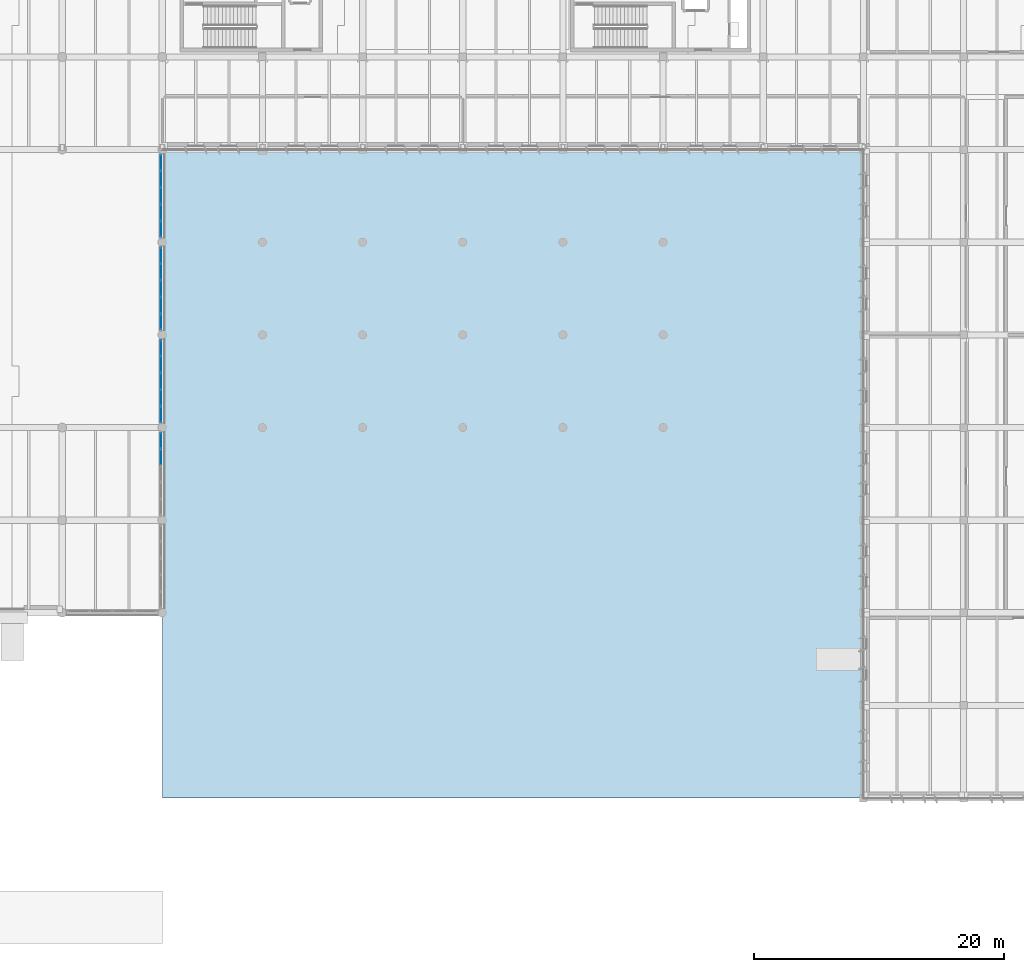
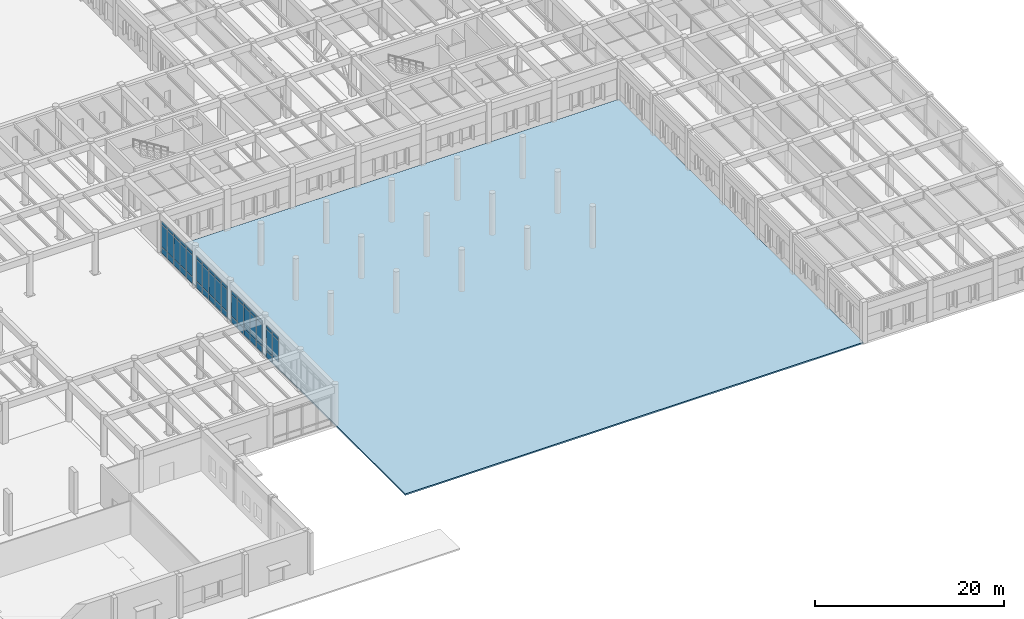
# One storey, part 12 of 56: 50 plates, 1 slab, 4 elements without a shape of their own.
"""IFC4 building model written with IfcOpenShell, lengths in metres."""

from ifc_helpers import new_model, si_unit, direction, frame, origin, origin_2d, place, context, subcontext, project, spatial, polyline, rectangle, outline, extrude, material, layer, layer_set, type_object, element, aggregate, save


model = new_model("IFC4")

# Units and contexts
model_context = context("Model", 3, precision=1e-05, world=origin(), true_north=direction((0.0, 1.0)))
body_context = subcontext(model_context, "Body", "Model", "MODEL_VIEW")
ifc_project = project(units=[si_unit("LENGTHUNIT", "METRE"), si_unit("AREAUNIT", "SQUARE_METRE"), si_unit("VOLUMEUNIT", "CUBIC_METRE"), si_unit("PLANEANGLEUNIT", "RADIAN"), si_unit("MASSUNIT", "GRAM", prefix="KILO")], contexts=[model_context])

# Site, building, storey
site_placement = place(None, origin())
site = spatial("IfcSite", under=ifc_project, at=site_placement, CompositionType="ELEMENT")
building_placement = place(site_placement, origin())
building = spatial("IfcBuilding", under=site, at=building_placement, Name="Valkorina Park Police Headquarters", CompositionType="ELEMENT")
storey_placement = place(building_placement, origin())
storey = spatial("IfcBuildingStorey", under=building, at=storey_placement, Name="L01", CompositionType="ELEMENT", Elevation=0.0)

# Curtain wall, plates
ifc_material_1 = material(Name="Thermally broken aluminium AW-6060", Category="aluminium")
ifc_layer_1 = layer(ifc_material_1, 0.18994140625)
ifc_layer_set_1 = layer_set([ifc_layer_1], Name="Thermally broken aluminium AW-6060")
curtain_wall_type = type_object("IfcCurtainWallType", Name="CW-V4-6680x4280", PredefinedType="NOTDEFINED", material=ifc_layer_set_1)
curtain_wall_1_placement = place(storey_placement, origin())
curtain_wall_1 = element("IfcCurtainWall", 1, at=curtain_wall_1_placement, inside=storey, type_object=curtain_wall_type, Name="L01 Unitised Curtain Wall 001", PredefinedType="NOTDEFINED")
ifc_material_2 = material(Name="Triple low-E insulated glazing", Category="glass")
ifc_layer_2 = layer(ifc_material_2, 0.0380859375)
ifc_layer_set_2 = layer_set([ifc_layer_2], Name="Triple low-E insulated glazing")
plate_type_1 = type_object("IfcPlateType", Name="PL-CWP-ACOUST-38", PredefinedType="CURTAIN_PANEL", material=ifc_layer_set_2)
plate_1_placement = place(storey_placement, frame((80.679931640625, 58.152099609375, 0.93994140625), z_axis=(0.0, 0.0, 1.0), x_axis=(0.0, -1.0, 0.0)))
plate_1 = element("IfcPlate", 2, at=plate_1_placement, type_object=plate_type_1, Name="CW-V4-668-428 panel 1.2", PredefinedType="CURTAIN_PANEL", context=body_context, shape_type="SweptSolid", body=[
    extrude(rectangle(XDim=1.216064453125, YDim=0.0380859375, at=origin_2d()), origin(), (0.0, 0.0, 1.0), 2.780029296875),
])
plate_2_placement = place(storey_placement, frame((80.679931640625, 58.152099609375, 3.800048828125), z_axis=(0.0, 0.0, 1.0), x_axis=(0.0, -1.0, 0.0)))
plate_2 = element("IfcPlate", 3, at=plate_2_placement, type_object=plate_type_1, Name="CW-V4-668-428 panel 1.3", PredefinedType="CURTAIN_PANEL", context=body_context, shape_type="SweptSolid", body=[
    extrude(rectangle(XDim=1.216064453125, YDim=0.0380859375, at=origin_2d()), origin(), (0.0, 0.0, 1.0), 0.39990234375),
])
plate_3_placement = place(storey_placement, frame((80.679931640625, 56.8359375, 0.93994140625), z_axis=(0.0, 0.0, 1.0), x_axis=(0.0, -1.0, 0.0)))
plate_3 = element("IfcPlate", 4, at=plate_3_placement, type_object=plate_type_1, Name="CW-V4-668-428 panel 2.2", PredefinedType="CURTAIN_PANEL", context=body_context, shape_type="SweptSolid", body=[
    extrude(rectangle(XDim=1.256103515625, YDim=0.0380859375, at=origin_2d()), origin(), (0.0, 0.0, 1.0), 2.780029296875),
])
plate_4_placement = place(storey_placement, frame((80.679931640625, 56.8359375, 3.800048828125), z_axis=(0.0, 0.0, 1.0), x_axis=(0.0, -1.0, 0.0)))
plate_4 = element("IfcPlate", 5, at=plate_4_placement, type_object=plate_type_1, Name="CW-V4-668-428 panel 2.3", PredefinedType="CURTAIN_PANEL", context=body_context, shape_type="SweptSolid", body=[
    extrude(rectangle(XDim=1.256103515625, YDim=0.0380859375, at=origin_2d()), origin(), (0.0, 0.0, 1.0), 0.39990234375),
])
plate_5_placement = place(storey_placement, frame((80.679931640625, 55.5, 0.93994140625), z_axis=(0.0, 0.0, 1.0), x_axis=(0.0, -1.0, 0.0)))
plate_5 = element("IfcPlate", 6, at=plate_5_placement, type_object=plate_type_1, Name="CW-V4-668-428 panel 3.2", PredefinedType="CURTAIN_PANEL", context=body_context, shape_type="SweptSolid", body=[
    extrude(rectangle(XDim=1.256103515625, YDim=0.0380859375, at=origin_2d()), origin(), (0.0, 0.0, 1.0), 2.780029296875),
])
plate_6_placement = place(storey_placement, frame((80.679931640625, 55.5, 3.800048828125), z_axis=(0.0, 0.0, 1.0), x_axis=(0.0, -1.0, 0.0)))
plate_6 = element("IfcPlate", 7, at=plate_6_placement, type_object=plate_type_1, Name="CW-V4-668-428 panel 3.3", PredefinedType="CURTAIN_PANEL", context=body_context, shape_type="SweptSolid", body=[
    extrude(rectangle(XDim=1.256103515625, YDim=0.0380859375, at=origin_2d()), origin(), (0.0, 0.0, 1.0), 0.39990234375),
])
plate_7_placement = place(storey_placement, frame((80.679931640625, 54.1640625, 0.93994140625), z_axis=(0.0, 0.0, 1.0), x_axis=(0.0, -1.0, 0.0)))
plate_7 = element("IfcPlate", 8, at=plate_7_placement, type_object=plate_type_1, Name="CW-V4-668-428 panel 4.2", PredefinedType="CURTAIN_PANEL", context=body_context, shape_type="SweptSolid", body=[
    extrude(rectangle(XDim=1.256103515625, YDim=0.0380859375, at=origin_2d()), origin(), (0.0, 0.0, 1.0), 2.780029296875),
])
plate_8_placement = place(storey_placement, frame((80.679931640625, 54.1640625, 3.800048828125), z_axis=(0.0, 0.0, 1.0), x_axis=(0.0, -1.0, 0.0)))
plate_8 = element("IfcPlate", 9, at=plate_8_placement, type_object=plate_type_1, Name="CW-V4-668-428 panel 4.3", PredefinedType="CURTAIN_PANEL", context=body_context, shape_type="SweptSolid", body=[
    extrude(rectangle(XDim=1.256103515625, YDim=0.0380859375, at=origin_2d()), origin(), (0.0, 0.0, 1.0), 0.39990234375),
])
plate_9_placement = place(storey_placement, frame((80.679931640625, 52.847900390625, 0.93994140625), z_axis=(0.0, 0.0, 1.0), x_axis=(0.0, -1.0, 0.0)))
plate_9 = element("IfcPlate", 10, at=plate_9_placement, type_object=plate_type_1, Name="CW-V4-668-428 panel 5.2", PredefinedType="CURTAIN_PANEL", context=body_context, shape_type="SweptSolid", body=[
    extrude(rectangle(XDim=1.216064453125, YDim=0.0380859375, at=origin_2d()), origin(), (0.0, 0.0, 1.0), 2.780029296875),
])
plate_10_placement = place(storey_placement, frame((80.679931640625, 52.847900390625, 3.800048828125), z_axis=(0.0, 0.0, 1.0), x_axis=(0.0, -1.0, 0.0)))
plate_10 = element("IfcPlate", 11, at=plate_10_placement, type_object=plate_type_1, Name="CW-V4-668-428 panel 5.3", PredefinedType="CURTAIN_PANEL", context=body_context, shape_type="SweptSolid", body=[
    extrude(rectangle(XDim=1.216064453125, YDim=0.0380859375, at=origin_2d()), origin(), (0.0, 0.0, 1.0), 0.39990234375),
])

curtain_wall_2_placement = place(storey_placement, origin())
curtain_wall_2 = element("IfcCurtainWall", 12, at=curtain_wall_2_placement, inside=storey, type_object=curtain_wall_type, Name="L01 Unitised Curtain Wall 002", PredefinedType="NOTDEFINED")
plate_11_placement = place(storey_placement, frame((80.679931640625, 50.751953125, 0.93994140625), z_axis=(0.0, 0.0, 1.0), x_axis=(0.0, -1.0, 0.0)))
plate_11 = element("IfcPlate", 13, at=plate_11_placement, type_object=plate_type_1, Name="CW-V4-668-428 panel 1.2", PredefinedType="CURTAIN_PANEL", context=body_context, shape_type="SweptSolid", body=[
    extrude(rectangle(XDim=1.216064453125, YDim=0.0380859375, at=origin_2d()), origin(), (0.0, 0.0, 1.0), 2.780029296875),
])
plate_12_placement = place(storey_placement, frame((80.679931640625, 50.751953125, 3.800048828125), z_axis=(0.0, 0.0, 1.0), x_axis=(0.0, -1.0, 0.0)))
plate_12 = element("IfcPlate", 14, at=plate_12_placement, type_object=plate_type_1, Name="CW-V4-668-428 panel 1.3", PredefinedType="CURTAIN_PANEL", context=body_context, shape_type="SweptSolid", body=[
    extrude(rectangle(XDim=1.216064453125, YDim=0.0380859375, at=origin_2d()), origin(), (0.0, 0.0, 1.0), 0.39990234375),
])
plate_13_placement = place(storey_placement, frame((80.679931640625, 49.43603515625, 0.93994140625), z_axis=(0.0, 0.0, 1.0), x_axis=(0.0, -1.0, 0.0)))
plate_13 = element("IfcPlate", 15, at=plate_13_placement, type_object=plate_type_1, Name="CW-V4-668-428 panel 2.2", PredefinedType="CURTAIN_PANEL", context=body_context, shape_type="SweptSolid", body=[
    extrude(rectangle(XDim=1.256103515625, YDim=0.0380859375, at=origin_2d()), origin(), (0.0, 0.0, 1.0), 2.780029296875),
])
plate_14_placement = place(storey_placement, frame((80.679931640625, 49.43603515625, 3.800048828125), z_axis=(0.0, 0.0, 1.0), x_axis=(0.0, -1.0, 0.0)))
plate_14 = element("IfcPlate", 16, at=plate_14_placement, type_object=plate_type_1, Name="CW-V4-668-428 panel 2.3", PredefinedType="CURTAIN_PANEL", context=body_context, shape_type="SweptSolid", body=[
    extrude(rectangle(XDim=1.256103515625, YDim=0.0380859375, at=origin_2d()), origin(), (0.0, 0.0, 1.0), 0.39990234375),
])
plate_15_placement = place(storey_placement, frame((80.679931640625, 48.10009765625, 0.93994140625), z_axis=(0.0, 0.0, 1.0), x_axis=(0.0, -1.0, 0.0)))
plate_15 = element("IfcPlate", 17, at=plate_15_placement, type_object=plate_type_1, Name="CW-V4-668-428 panel 3.2", PredefinedType="CURTAIN_PANEL", context=body_context, shape_type="SweptSolid", body=[
    extrude(rectangle(XDim=1.256103515625, YDim=0.0380859375, at=origin_2d()), origin(), (0.0, 0.0, 1.0), 2.780029296875),
])
plate_16_placement = place(storey_placement, frame((80.679931640625, 48.10009765625, 3.800048828125), z_axis=(0.0, 0.0, 1.0), x_axis=(0.0, -1.0, 0.0)))
plate_16 = element("IfcPlate", 18, at=plate_16_placement, type_object=plate_type_1, Name="CW-V4-668-428 panel 3.3", PredefinedType="CURTAIN_PANEL", context=body_context, shape_type="SweptSolid", body=[
    extrude(rectangle(XDim=1.256103515625, YDim=0.0380859375, at=origin_2d()), origin(), (0.0, 0.0, 1.0), 0.39990234375),
])
plate_17_placement = place(storey_placement, frame((80.679931640625, 46.763916015625, 0.93994140625), z_axis=(0.0, 0.0, 1.0), x_axis=(0.0, -1.0, 0.0)))
plate_17 = element("IfcPlate", 19, at=plate_17_placement, type_object=plate_type_1, Name="CW-V4-668-428 panel 4.2", PredefinedType="CURTAIN_PANEL", context=body_context, shape_type="SweptSolid", body=[
    extrude(rectangle(XDim=1.256103515625, YDim=0.0380859375, at=origin_2d()), origin(), (0.0, 0.0, 1.0), 2.780029296875),
])
plate_18_placement = place(storey_placement, frame((80.679931640625, 46.763916015625, 3.800048828125), z_axis=(0.0, 0.0, 1.0), x_axis=(0.0, -1.0, 0.0)))
plate_18 = element("IfcPlate", 20, at=plate_18_placement, type_object=plate_type_1, Name="CW-V4-668-428 panel 4.3", PredefinedType="CURTAIN_PANEL", context=body_context, shape_type="SweptSolid", body=[
    extrude(rectangle(XDim=1.256103515625, YDim=0.0380859375, at=origin_2d()), origin(), (0.0, 0.0, 1.0), 0.39990234375),
])
plate_19_placement = place(storey_placement, frame((80.679931640625, 45.447998046875, 0.93994140625), z_axis=(0.0, 0.0, 1.0), x_axis=(0.0, -1.0, 0.0)))
plate_19 = element("IfcPlate", 21, at=plate_19_placement, type_object=plate_type_1, Name="CW-V4-668-428 panel 5.2", PredefinedType="CURTAIN_PANEL", context=body_context, shape_type="SweptSolid", body=[
    extrude(rectangle(XDim=1.216064453125, YDim=0.0380859375, at=origin_2d()), origin(), (0.0, 0.0, 1.0), 2.780029296875),
])
plate_20_placement = place(storey_placement, frame((80.679931640625, 45.447998046875, 3.800048828125), z_axis=(0.0, 0.0, 1.0), x_axis=(0.0, -1.0, 0.0)))
plate_20 = element("IfcPlate", 22, at=plate_20_placement, type_object=plate_type_1, Name="CW-V4-668-428 panel 5.3", PredefinedType="CURTAIN_PANEL", context=body_context, shape_type="SweptSolid", body=[
    extrude(rectangle(XDim=1.216064453125, YDim=0.0380859375, at=origin_2d()), origin(), (0.0, 0.0, 1.0), 0.39990234375),
])

curtain_wall_3_placement = place(storey_placement, origin())
curtain_wall_3 = element("IfcCurtainWall", 23, at=curtain_wall_3_placement, inside=storey, type_object=curtain_wall_type, Name="L01 Unitised Curtain Wall 003", PredefinedType="NOTDEFINED")
plate_21_placement = place(storey_placement, frame((80.679931640625, 43.35205078125, 0.93994140625), z_axis=(0.0, 0.0, 1.0), x_axis=(0.0, -1.0, 0.0)))
plate_21 = element("IfcPlate", 24, at=plate_21_placement, type_object=plate_type_1, Name="CW-V4-668-428 panel 1.2", PredefinedType="CURTAIN_PANEL", context=body_context, shape_type="SweptSolid", body=[
    extrude(rectangle(XDim=1.216064453125, YDim=0.0380859375, at=origin_2d()), origin(), (0.0, 0.0, 1.0), 2.780029296875),
])
plate_22_placement = place(storey_placement, frame((80.679931640625, 43.35205078125, 3.800048828125), z_axis=(0.0, 0.0, 1.0), x_axis=(0.0, -1.0, 0.0)))
plate_22 = element("IfcPlate", 25, at=plate_22_placement, type_object=plate_type_1, Name="CW-V4-668-428 panel 1.3", PredefinedType="CURTAIN_PANEL", context=body_context, shape_type="SweptSolid", body=[
    extrude(rectangle(XDim=1.216064453125, YDim=0.0380859375, at=origin_2d()), origin(), (0.0, 0.0, 1.0), 0.39990234375),
])
plate_23_placement = place(storey_placement, frame((80.679931640625, 42.035888671875, 0.93994140625), z_axis=(0.0, 0.0, 1.0), x_axis=(0.0, -1.0, 0.0)))
plate_23 = element("IfcPlate", 26, at=plate_23_placement, type_object=plate_type_1, Name="CW-V4-668-428 panel 2.2", PredefinedType="CURTAIN_PANEL", context=body_context, shape_type="SweptSolid", body=[
    extrude(rectangle(XDim=1.256103515625, YDim=0.0380859375, at=origin_2d()), origin(), (0.0, 0.0, 1.0), 2.780029296875),
])
plate_24_placement = place(storey_placement, frame((80.679931640625, 42.035888671875, 3.800048828125), z_axis=(0.0, 0.0, 1.0), x_axis=(0.0, -1.0, 0.0)))
plate_24 = element("IfcPlate", 27, at=plate_24_placement, type_object=plate_type_1, Name="CW-V4-668-428 panel 2.3", PredefinedType="CURTAIN_PANEL", context=body_context, shape_type="SweptSolid", body=[
    extrude(rectangle(XDim=1.256103515625, YDim=0.0380859375, at=origin_2d()), origin(), (0.0, 0.0, 1.0), 0.39990234375),
])
plate_25_placement = place(storey_placement, frame((80.679931640625, 40.699951171875, 0.93994140625), z_axis=(0.0, 0.0, 1.0), x_axis=(0.0, -1.0, 0.0)))
plate_25 = element("IfcPlate", 28, at=plate_25_placement, type_object=plate_type_1, Name="CW-V4-668-428 panel 3.2", PredefinedType="CURTAIN_PANEL", context=body_context, shape_type="SweptSolid", body=[
    extrude(rectangle(XDim=1.256103515625, YDim=0.0380859375, at=origin_2d()), origin(), (0.0, 0.0, 1.0), 2.780029296875),
])
plate_26_placement = place(storey_placement, frame((80.679931640625, 40.699951171875, 3.800048828125), z_axis=(0.0, 0.0, 1.0), x_axis=(0.0, -1.0, 0.0)))
plate_26 = element("IfcPlate", 29, at=plate_26_placement, type_object=plate_type_1, Name="CW-V4-668-428 panel 3.3", PredefinedType="CURTAIN_PANEL", context=body_context, shape_type="SweptSolid", body=[
    extrude(rectangle(XDim=1.256103515625, YDim=0.0380859375, at=origin_2d()), origin(), (0.0, 0.0, 1.0), 0.39990234375),
])
plate_27_placement = place(storey_placement, frame((80.679931640625, 39.364013671875, 0.93994140625), z_axis=(0.0, 0.0, 1.0), x_axis=(0.0, -1.0, 0.0)))
plate_27 = element("IfcPlate", 30, at=plate_27_placement, type_object=plate_type_1, Name="CW-V4-668-428 panel 4.2", PredefinedType="CURTAIN_PANEL", context=body_context, shape_type="SweptSolid", body=[
    extrude(rectangle(XDim=1.256103515625, YDim=0.0380859375, at=origin_2d()), origin(), (0.0, 0.0, 1.0), 2.780029296875),
])
plate_28_placement = place(storey_placement, frame((80.679931640625, 39.364013671875, 3.800048828125), z_axis=(0.0, 0.0, 1.0), x_axis=(0.0, -1.0, 0.0)))
plate_28 = element("IfcPlate", 31, at=plate_28_placement, type_object=plate_type_1, Name="CW-V4-668-428 panel 4.3", PredefinedType="CURTAIN_PANEL", context=body_context, shape_type="SweptSolid", body=[
    extrude(rectangle(XDim=1.256103515625, YDim=0.0380859375, at=origin_2d()), origin(), (0.0, 0.0, 1.0), 0.39990234375),
])
plate_29_placement = place(storey_placement, frame((80.679931640625, 38.048095703125, 0.93994140625), z_axis=(0.0, 0.0, 1.0), x_axis=(0.0, -1.0, 0.0)))
plate_29 = element("IfcPlate", 32, at=plate_29_placement, type_object=plate_type_1, Name="CW-V4-668-428 panel 5.2", PredefinedType="CURTAIN_PANEL", context=body_context, shape_type="SweptSolid", body=[
    extrude(rectangle(XDim=1.216064453125, YDim=0.0380859375, at=origin_2d()), origin(), (0.0, 0.0, 1.0), 2.780029296875),
])
plate_30_placement = place(storey_placement, frame((80.679931640625, 38.048095703125, 3.800048828125), z_axis=(0.0, 0.0, 1.0), x_axis=(0.0, -1.0, 0.0)))
plate_30 = element("IfcPlate", 33, at=plate_30_placement, type_object=plate_type_1, Name="CW-V4-668-428 panel 5.3", PredefinedType="CURTAIN_PANEL", context=body_context, shape_type="SweptSolid", body=[
    extrude(rectangle(XDim=1.216064453125, YDim=0.0380859375, at=origin_2d()), origin(), (0.0, 0.0, 1.0), 0.39990234375),
])

curtain_wall_4_placement = place(storey_placement, origin())
curtain_wall_4 = element("IfcCurtainWall", 34, at=curtain_wall_4_placement, inside=storey, type_object=curtain_wall_type, Name="L01 Unitised Curtain Wall 004", PredefinedType="NOTDEFINED")
plate_31_placement = place(storey_placement, frame((80.679931640625, 35.951904296875, 0.93994140625), z_axis=(0.0, 0.0, 1.0), x_axis=(0.0, -1.0, 0.0)))
plate_31 = element("IfcPlate", 35, at=plate_31_placement, type_object=plate_type_1, Name="CW-V4-668-428 panel 1.2", PredefinedType="CURTAIN_PANEL", context=body_context, shape_type="SweptSolid", body=[
    extrude(rectangle(XDim=1.216064453125, YDim=0.0380859375, at=origin_2d()), origin(), (0.0, 0.0, 1.0), 2.780029296875),
])
plate_32_placement = place(storey_placement, frame((80.679931640625, 35.951904296875, 3.800048828125), z_axis=(0.0, 0.0, 1.0), x_axis=(0.0, -1.0, 0.0)))
plate_32 = element("IfcPlate", 36, at=plate_32_placement, type_object=plate_type_1, Name="CW-V4-668-428 panel 1.3", PredefinedType="CURTAIN_PANEL", context=body_context, shape_type="SweptSolid", body=[
    extrude(rectangle(XDim=1.216064453125, YDim=0.0380859375, at=origin_2d()), origin(), (0.0, 0.0, 1.0), 0.39990234375),
])
plate_33_placement = place(storey_placement, frame((80.679931640625, 34.635986328125, 0.93994140625), z_axis=(0.0, 0.0, 1.0), x_axis=(0.0, -1.0, 0.0)))
plate_33 = element("IfcPlate", 37, at=plate_33_placement, type_object=plate_type_1, Name="CW-V4-668-428 panel 2.2", PredefinedType="CURTAIN_PANEL", context=body_context, shape_type="SweptSolid", body=[
    extrude(rectangle(XDim=1.256103515625, YDim=0.0380859375, at=origin_2d()), origin(), (0.0, 0.0, 1.0), 2.780029296875),
])
plate_34_placement = place(storey_placement, frame((80.679931640625, 34.635986328125, 3.800048828125), z_axis=(0.0, 0.0, 1.0), x_axis=(0.0, -1.0, 0.0)))
plate_34 = element("IfcPlate", 38, at=plate_34_placement, type_object=plate_type_1, Name="CW-V4-668-428 panel 2.3", PredefinedType="CURTAIN_PANEL", context=body_context, shape_type="SweptSolid", body=[
    extrude(rectangle(XDim=1.256103515625, YDim=0.0380859375, at=origin_2d()), origin(), (0.0, 0.0, 1.0), 0.39990234375),
])

# Plate
ifc_layer_3 = layer(ifc_material_1, 0.06494140625)
ifc_layer_set_3 = layer_set([ifc_layer_3], Name="Thermally broken aluminium AW-6060")
plate_type_2 = type_object("IfcPlateType", Name="PL-CWP-INSUL-65", PredefinedType="CURTAIN_PANEL", material=ifc_layer_set_3)
plate_35_placement = place(storey_placement, frame((80.679931640625, 58.152099609375, 0.080078125), z_axis=(0.0, 0.0, 1.0), x_axis=(0.0, -1.0, 0.0)))
plate_35 = element("IfcPlate", 39, at=plate_35_placement, type_object=plate_type_2, Name="CW-V4-668-428 panel 1.1", PredefinedType="CURTAIN_PANEL", context=body_context, shape_type="SweptSolid", body=[
    extrude(rectangle(XDim=1.216064453125, YDim=0.0380859375, at=origin_2d()), origin(), (0.0, 0.0, 1.0), 0.780029296875),
])

plate_36_placement = place(storey_placement, frame((80.679931640625, 56.8359375, 0.080078125), z_axis=(0.0, 0.0, 1.0), x_axis=(0.0, -1.0, 0.0)))
plate_36 = element("IfcPlate", 40, at=plate_36_placement, type_object=plate_type_2, Name="CW-V4-668-428 panel 2.1", PredefinedType="CURTAIN_PANEL", context=body_context, shape_type="SweptSolid", body=[
    extrude(rectangle(XDim=1.256103515625, YDim=0.0380859375, at=origin_2d()), origin(), (0.0, 0.0, 1.0), 0.780029296875),
])

plate_37_placement = place(storey_placement, frame((80.679931640625, 55.5, 0.080078125), z_axis=(0.0, 0.0, 1.0), x_axis=(0.0, -1.0, 0.0)))
plate_37 = element("IfcPlate", 41, at=plate_37_placement, type_object=plate_type_2, Name="CW-V4-668-428 panel 3.1", PredefinedType="CURTAIN_PANEL", context=body_context, shape_type="SweptSolid", body=[
    extrude(rectangle(XDim=1.256103515625, YDim=0.0380859375, at=origin_2d()), origin(), (0.0, 0.0, 1.0), 0.780029296875),
])

plate_38_placement = place(storey_placement, frame((80.679931640625, 54.1640625, 0.080078125), z_axis=(0.0, 0.0, 1.0), x_axis=(0.0, -1.0, 0.0)))
plate_38 = element("IfcPlate", 42, at=plate_38_placement, type_object=plate_type_2, Name="CW-V4-668-428 panel 4.1", PredefinedType="CURTAIN_PANEL", context=body_context, shape_type="SweptSolid", body=[
    extrude(rectangle(XDim=1.256103515625, YDim=0.0380859375, at=origin_2d()), origin(), (0.0, 0.0, 1.0), 0.780029296875),
])

plate_39_placement = place(storey_placement, frame((80.679931640625, 52.847900390625, 0.080078125), z_axis=(0.0, 0.0, 1.0), x_axis=(0.0, -1.0, 0.0)))
plate_39 = element("IfcPlate", 43, at=plate_39_placement, type_object=plate_type_2, Name="CW-V4-668-428 panel 5.1", PredefinedType="CURTAIN_PANEL", context=body_context, shape_type="SweptSolid", body=[
    extrude(rectangle(XDim=1.216064453125, YDim=0.0380859375, at=origin_2d()), origin(), (0.0, 0.0, 1.0), 0.780029296875),
])

aggregate(curtain_wall_1, [plate_35, plate_1, plate_2, plate_36, plate_3, plate_4, plate_37, plate_5, plate_6, plate_38, plate_7, plate_8, plate_39, plate_9, plate_10])

plate_40_placement = place(storey_placement, frame((80.679931640625, 50.751953125, 0.080078125), z_axis=(0.0, 0.0, 1.0), x_axis=(0.0, -1.0, 0.0)))
plate_40 = element("IfcPlate", 44, at=plate_40_placement, type_object=plate_type_2, Name="CW-V4-668-428 panel 1.1", PredefinedType="CURTAIN_PANEL", context=body_context, shape_type="SweptSolid", body=[
    extrude(rectangle(XDim=1.216064453125, YDim=0.0380859375, at=origin_2d()), origin(), (0.0, 0.0, 1.0), 0.780029296875),
])

plate_41_placement = place(storey_placement, frame((80.679931640625, 49.43603515625, 0.080078125), z_axis=(0.0, 0.0, 1.0), x_axis=(0.0, -1.0, 0.0)))
plate_41 = element("IfcPlate", 45, at=plate_41_placement, type_object=plate_type_2, Name="CW-V4-668-428 panel 2.1", PredefinedType="CURTAIN_PANEL", context=body_context, shape_type="SweptSolid", body=[
    extrude(rectangle(XDim=1.256103515625, YDim=0.0380859375, at=origin_2d()), origin(), (0.0, 0.0, 1.0), 0.780029296875),
])

plate_42_placement = place(storey_placement, frame((80.679931640625, 48.10009765625, 0.080078125), z_axis=(0.0, 0.0, 1.0), x_axis=(0.0, -1.0, 0.0)))
plate_42 = element("IfcPlate", 46, at=plate_42_placement, type_object=plate_type_2, Name="CW-V4-668-428 panel 3.1", PredefinedType="CURTAIN_PANEL", context=body_context, shape_type="SweptSolid", body=[
    extrude(rectangle(XDim=1.256103515625, YDim=0.0380859375, at=origin_2d()), origin(), (0.0, 0.0, 1.0), 0.780029296875),
])

plate_43_placement = place(storey_placement, frame((80.679931640625, 46.763916015625, 0.080078125), z_axis=(0.0, 0.0, 1.0), x_axis=(0.0, -1.0, 0.0)))
plate_43 = element("IfcPlate", 47, at=plate_43_placement, type_object=plate_type_2, Name="CW-V4-668-428 panel 4.1", PredefinedType="CURTAIN_PANEL", context=body_context, shape_type="SweptSolid", body=[
    extrude(rectangle(XDim=1.256103515625, YDim=0.0380859375, at=origin_2d()), origin(), (0.0, 0.0, 1.0), 0.780029296875),
])

plate_44_placement = place(storey_placement, frame((80.679931640625, 45.447998046875, 0.080078125), z_axis=(0.0, 0.0, 1.0), x_axis=(0.0, -1.0, 0.0)))
plate_44 = element("IfcPlate", 48, at=plate_44_placement, type_object=plate_type_2, Name="CW-V4-668-428 panel 5.1", PredefinedType="CURTAIN_PANEL", context=body_context, shape_type="SweptSolid", body=[
    extrude(rectangle(XDim=1.216064453125, YDim=0.0380859375, at=origin_2d()), origin(), (0.0, 0.0, 1.0), 0.780029296875),
])

aggregate(curtain_wall_2, [plate_40, plate_11, plate_12, plate_41, plate_13, plate_14, plate_42, plate_15, plate_16, plate_43, plate_17, plate_18, plate_44, plate_19, plate_20])

plate_45_placement = place(storey_placement, frame((80.679931640625, 43.35205078125, 0.080078125), z_axis=(0.0, 0.0, 1.0), x_axis=(0.0, -1.0, 0.0)))
plate_45 = element("IfcPlate", 49, at=plate_45_placement, type_object=plate_type_2, Name="CW-V4-668-428 panel 1.1", PredefinedType="CURTAIN_PANEL", context=body_context, shape_type="SweptSolid", body=[
    extrude(rectangle(XDim=1.216064453125, YDim=0.0380859375, at=origin_2d()), origin(), (0.0, 0.0, 1.0), 0.780029296875),
])

plate_46_placement = place(storey_placement, frame((80.679931640625, 42.035888671875, 0.080078125), z_axis=(0.0, 0.0, 1.0), x_axis=(0.0, -1.0, 0.0)))
plate_46 = element("IfcPlate", 50, at=plate_46_placement, type_object=plate_type_2, Name="CW-V4-668-428 panel 2.1", PredefinedType="CURTAIN_PANEL", context=body_context, shape_type="SweptSolid", body=[
    extrude(rectangle(XDim=1.256103515625, YDim=0.0380859375, at=origin_2d()), origin(), (0.0, 0.0, 1.0), 0.780029296875),
])

plate_47_placement = place(storey_placement, frame((80.679931640625, 40.699951171875, 0.080078125), z_axis=(0.0, 0.0, 1.0), x_axis=(0.0, -1.0, 0.0)))
plate_47 = element("IfcPlate", 51, at=plate_47_placement, type_object=plate_type_2, Name="CW-V4-668-428 panel 3.1", PredefinedType="CURTAIN_PANEL", context=body_context, shape_type="SweptSolid", body=[
    extrude(rectangle(XDim=1.256103515625, YDim=0.0380859375, at=origin_2d()), origin(), (0.0, 0.0, 1.0), 0.780029296875),
])

plate_48_placement = place(storey_placement, frame((80.679931640625, 39.364013671875, 0.080078125), z_axis=(0.0, 0.0, 1.0), x_axis=(0.0, -1.0, 0.0)))
plate_48 = element("IfcPlate", 52, at=plate_48_placement, type_object=plate_type_2, Name="CW-V4-668-428 panel 4.1", PredefinedType="CURTAIN_PANEL", context=body_context, shape_type="SweptSolid", body=[
    extrude(rectangle(XDim=1.256103515625, YDim=0.0380859375, at=origin_2d()), origin(), (0.0, 0.0, 1.0), 0.780029296875),
])

plate_49_placement = place(storey_placement, frame((80.679931640625, 38.048095703125, 0.080078125), z_axis=(0.0, 0.0, 1.0), x_axis=(0.0, -1.0, 0.0)))
plate_49 = element("IfcPlate", 53, at=plate_49_placement, type_object=plate_type_2, Name="CW-V4-668-428 panel 5.1", PredefinedType="CURTAIN_PANEL", context=body_context, shape_type="SweptSolid", body=[
    extrude(rectangle(XDim=1.216064453125, YDim=0.0380859375, at=origin_2d()), origin(), (0.0, 0.0, 1.0), 0.780029296875),
])

aggregate(curtain_wall_3, [plate_45, plate_21, plate_22, plate_46, plate_23, plate_24, plate_47, plate_25, plate_26, plate_48, plate_27, plate_28, plate_49, plate_29, plate_30])

plate_50_placement = place(storey_placement, frame((80.679931640625, 35.951904296875, 0.080078125), z_axis=(0.0, 0.0, 1.0), x_axis=(0.0, -1.0, 0.0)))
plate_50 = element("IfcPlate", 54, at=plate_50_placement, type_object=plate_type_2, Name="CW-V4-668-428 panel 1.1", PredefinedType="CURTAIN_PANEL", context=body_context, shape_type="SweptSolid", body=[
    extrude(rectangle(XDim=1.216064453125, YDim=0.0380859375, at=origin_2d()), origin(), (0.0, 0.0, 1.0), 0.780029296875),
])

aggregate(curtain_wall_4, [plate_50, plate_31, plate_32, plate_33, plate_34])

# Slab
ifc_material_3 = material(Name="Concrete C35/45", Category="concrete")
ifc_layer_4 = layer(ifc_material_3, 0.179931640625)
ifc_layer_set_4 = layer_set([ifc_layer_4], Name="Concrete C35/45")
slab_type = type_object("IfcSlabType", Name="SL-PAVING-EXT-180", PredefinedType="USERDEFINED", material=ifc_layer_set_4)
slab_placement = place(storey_placement, frame((0.0, 0.0, -0.179931640625)))
element("IfcSlab", 55, at=slab_placement, inside=storey, type_object=slab_type, Name="Park-Edge Garden Court Terrace 1", ObjectType="PAVING", PredefinedType="USERDEFINED", context=body_context, shape_type="SweptSolid", body=[
    extrude(outline(polyline([(136.800048828125, 7.39990234375), (136.800048828125, 59.19189453125), (80.800048828125, 59.19189453125), (80.800048828125, 22.199951171875), (80.800048828125, 7.39990234375), (136.800048828125, 7.39990234375)])), origin(), (0.0, 0.0, 1.0), 0.179931640625),
])

save(model, "model.ifc")
